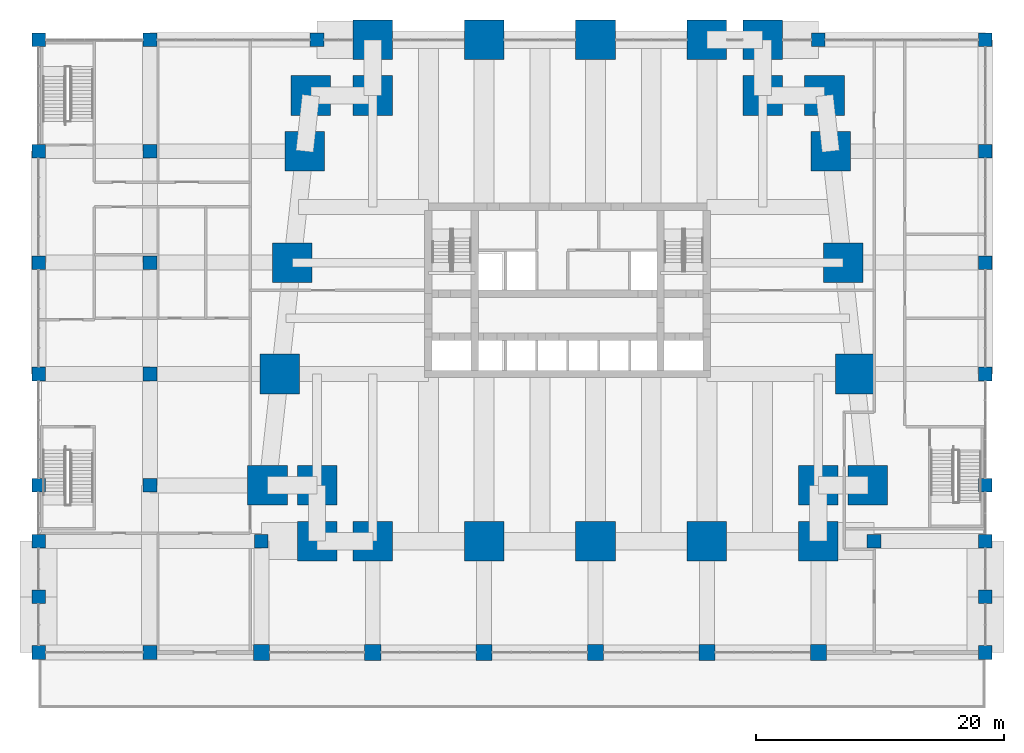
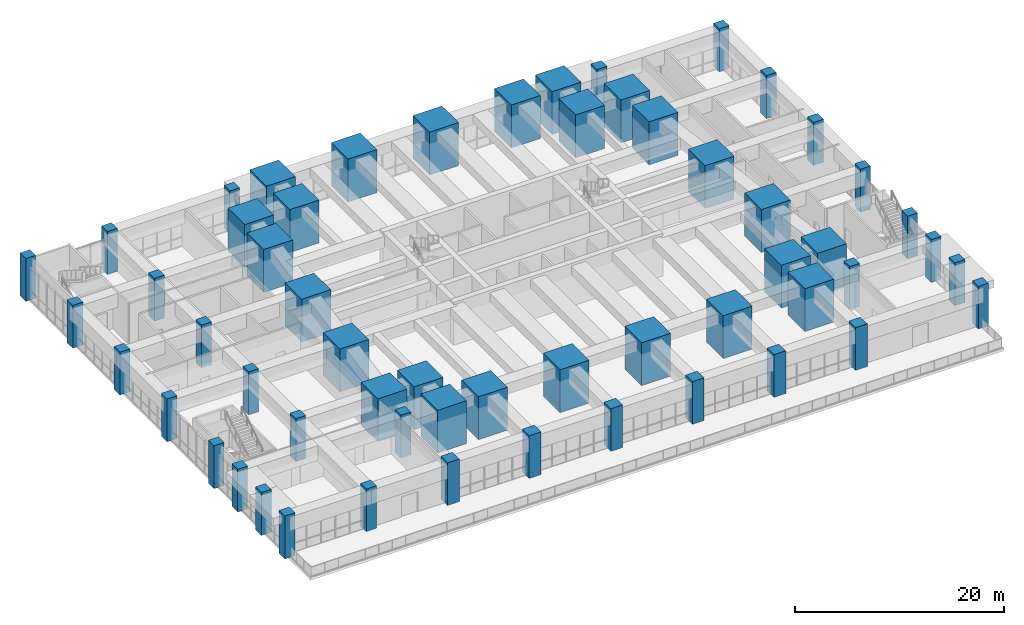
# One storey, part 1 of 27: 57 columns.
"""IFC4 building model written with IfcOpenShell, lengths in metres."""

from ifc_helpers import new_model, si_unit, direction, frame, origin, origin_2d, place, context, subcontext, project, spatial, rectangle, extrude, material, material_profile, profile_set, type_object, element, save


model = new_model("IFC4")

# Units and contexts
model_context = context("Model", 3, precision=1e-05, world=origin(), true_north=direction((0.0, 1.0)))
body_context = subcontext(model_context, "Body", "Model", "MODEL_VIEW")
ifc_project = project(units=[si_unit("LENGTHUNIT", "METRE"), si_unit("AREAUNIT", "SQUARE_METRE"), si_unit("VOLUMEUNIT", "CUBIC_METRE"), si_unit("PLANEANGLEUNIT", "RADIAN"), si_unit("MASSUNIT", "GRAM", prefix="KILO")], contexts=[model_context])

# Site, building, storey
site_placement = place(None, origin())
site = spatial("IfcSite", under=ifc_project, at=site_placement, CompositionType="ELEMENT")
building_placement = place(site_placement, origin())
building = spatial("IfcBuilding", under=site, at=building_placement, Name="Kilele Tower Hotel", CompositionType="ELEMENT")
storey_placement = place(building_placement, frame((0.0, 0.0, 6.0)))
storey = spatial("IfcBuildingStorey", under=building, at=storey_placement, Name="L01", CompositionType="ELEMENT", Elevation=6.0)

# Columns
ifc_material_1 = material(Name="Concrete C60/75", Category="concrete")
ifc_material_profile_1 = material_profile(ifc_material_1, rectangle(XDim=1.10009765625, YDim=1.10009765625, at=origin_2d()))
ifc_profile_set_1 = profile_set([ifc_material_profile_1], Name="Concrete C60/75")
column_type_1 = type_object("IfcColumnType", Name="Column RC 1100x1100 C60/75", PredefinedType="COLUMN", material=ifc_profile_set_1)
for number, where, z_axis, x_axis, name in (
    (1, (-18.0, -4.5, 0.0), (0.0, 0.0, 1.0), (1.0, 0.0, 0.0), "Column PC1 L01"),
    (2, (58.5, -4.5, 0.0), (0.0, 0.0, 1.0), (1.0, 0.0, 0.0), "Column PC1 L01"),
    (3, (-18.0, 4.5, 0.0), (0.0, 0.0, 1.0), (1.0, 0.0, 0.0), "Column PC1 L01"),
    (4, (-9.0, 4.5, 0.0), (0.0, 0.0, 1.0), (1.0, 0.0, 0.0), "Column PC1 L01"),
    (5, (58.5, 4.5, 0.0), (0.0, 0.0, 1.0), (1.0, 0.0, 0.0), "Column PC1 L01"),
    (6, (-18.0, 13.5, 0.0), (0.0, 0.0, 1.0), (1.0, 0.0, 0.0), "Column PC1 L01"),
    (7, (-9.0, 13.5, 0.0), (0.0, 0.0, 1.0), (1.0, 0.0, 0.0), "Column PC1 L01"),
    (8, (58.5, 13.5, 0.0), (0.0, 0.0, 1.0), (1.0, 0.0, 0.0), "Column PC1 L01"),
    (9, (-18.0, 22.5, 0.0), (0.0, 0.0, 1.0), (1.0, 0.0, 0.0), "Column PC1 L01"),
    (10, (-9.0, 22.5, 0.0), (0.0, 0.0, 1.0), (1.0, 0.0, 0.0), "Column PC1 L01"),
    (11, (58.5, 22.5, 0.0), (0.0, 0.0, 1.0), (1.0, 0.0, 0.0), "Column PC1 L01"),
    (12, (-18.0, 31.5, 0.0), (0.0, 0.0, 1.0), (1.0, 0.0, 0.0), "Column PC1 L01"),
    (13, (-9.0, 31.5, 0.0), (0.0, 0.0, 1.0), (1.0, 0.0, 0.0), "Column PC1 L01"),
    (14, (58.5, 31.5, 0.0), (0.0, 0.0, 1.0), (1.0, 0.0, 0.0), "Column PC1 L01"),
    (15, (-18.0, 40.5, 0.0), (0.0, 0.0, 1.0), (1.0, 0.0, 0.0), "Column PC1 L01"),
    (16, (-9.0, 40.5, 0.0), (0.0, 0.0, 1.0), (1.0, 0.0, 0.0), "Column PC1 L01"),
    (17, (58.5, 40.5, 0.0), (0.0, 0.0, 1.0), (1.0, 0.0, 0.0), "Column PC1 L01"),
    (18, (-18.0, 0.0, 0.0), (0.0, 0.0, 1.0), (1.0, 0.0, 0.0), "Column PC1 L01"),
    (19, (58.5, 0.0, 0.0), (0.0, 0.0, 1.0), (1.0, 0.0, 0.0), "Column PC1 L01"),
    (20, (-18.0, -9.0, 0.0), (0.0, 0.0, 1.0), (1.0, 0.0, 0.0), "Column PC1 L01"),
    (21, (58.5, -9.0, 0.0), (0.0, 0.0, 1.0), (1.0, 0.0, 0.0), "Column PC1 L01"),
    (22, (-9.0, -9.0, 0.0), (0.0, 0.0, 1.0), (1.0, 0.0, 0.0), "Column PC1 L01"),
    (23, (0.0, 0.0, 0.0), (0.0, 0.0, 1.0), (1.0, 0.0, 0.0), "Column PC1 L01"),
    (24, (49.5, 0.0, 0.0), (0.0, 0.0, 1.0), (1.0, 0.0, 0.0), "Column PC1 L01"),
    (25, (4.5, 40.5, 0.0), (0.0, 0.0, 1.0), (1.0, 0.0, 0.0), "Column PC1 L01"),
    (26, (45.0, 40.5, 0.0), (0.0, 0.0, 1.0), (1.0, 0.0, 0.0), "Column PC1 L01"),
):
    element("IfcColumn", number, at=place(storey_placement, frame(where, z_axis=z_axis, x_axis=x_axis)), inside=storey, type_object=column_type_1, Name=name, PredefinedType="COLUMN", context=body_context, shape_type="SweptSolid", body=[
        extrude(rectangle(XDim=1.10009765625, YDim=1.10009765625, at=origin_2d()), origin(), (0.0, 0.0, 1.0), 5.0),
    ])
ifc_material_2 = material(Name="Concrete C60/75", Category="concrete")
ifc_material_profile_2 = material_profile(ifc_material_2, rectangle(XDim=1.300048828125, YDim=1.300048828125, at=origin_2d()))
ifc_profile_set_2 = profile_set([ifc_material_profile_2], Name="Concrete C60/75")
column_type_2 = type_object("IfcColumnType", Name="Column RC 1300x1300 C60/75", PredefinedType="COLUMN", material=ifc_profile_set_2)
for number, where, z_axis, x_axis, name in (
    (27, (0.0, -9.0, 0.0), (0.0, 0.0, 1.0), (1.0, 0.0, 0.0), "Column PC2 L01"),
    (28, (9.0, -9.0, 0.0), (0.0, 0.0, 1.0), (1.0, 0.0, 0.0), "Column PC2 L01"),
    (29, (18.0, -9.0, 0.0), (0.0, 0.0, 1.0), (1.0, 0.0, 0.0), "Column PC2 L01"),
    (30, (27.0, -9.0, 0.0), (0.0, 0.0, 1.0), (1.0, 0.0, 0.0), "Column PC2 L01"),
    (31, (36.0, -9.0, 0.0), (0.0, 0.0, 1.0), (1.0, 0.0, 0.0), "Column PC2 L01"),
    (32, (45.0, -9.0, 0.0), (0.0, 0.0, 1.0), (1.0, 0.0, 0.0), "Column PC2 L01"),
):
    element("IfcColumn", number, at=place(storey_placement, frame(where, z_axis=z_axis, x_axis=x_axis)), inside=storey, type_object=column_type_2, Name=name, PredefinedType="COLUMN", context=body_context, shape_type="SweptSolid", body=[
        extrude(rectangle(XDim=1.300048828125, YDim=1.300048828125, at=origin_2d()), origin(), (0.0, 0.0, 1.0), 5.0),
    ])
ifc_material_3 = material(Name="Concrete C80/95", Category="concrete")
ifc_material_profile_3 = material_profile(ifc_material_3, rectangle(XDim=3.199951171875, YDim=3.199951171875, at=origin_2d()))
ifc_profile_set_3 = profile_set([ifc_material_profile_3], Name="Concrete C80/95")
column_type_3 = type_object("IfcColumnType", Name="Mega column RC 3200x3200 C80/95", PredefinedType="COLUMN", material=ifc_profile_set_3)
for number, where, z_axis, x_axis, name in (
    (33, (0.5, 4.5, 0.0), (0.0, 0.0, 1.0), (1.0, 0.0, 0.0), "Column MC1 L01"),
    (34, (4.5, 4.5, 0.0), (0.0, 0.0, 1.0), (1.0, 0.0, 0.0), "Column MC1 L01"),
    (35, (4.5, 0.0, 0.0), (0.0, 0.0, 1.0), (1.0, 0.0, 0.0), "Column MC1 L01"),
    (36, (9.0, 0.0, 0.0), (0.0, 0.0, 1.0), (1.0, 0.0, 0.0), "Column MC1 L01"),
    (37, (18.0, 0.0, 0.0), (0.0, 0.0, 1.0), (1.0, 0.0, 0.0), "Column MC1 L01"),
    (38, (27.0, 0.0, 0.0), (0.0, 0.0, 1.0), (1.0, 0.0, 0.0), "Column MC1 L01"),
    (39, (36.0, 0.0, 0.0), (0.0, 0.0, 1.0), (1.0, 0.0, 0.0), "Column MC1 L01"),
    (40, (45.0, 0.0, 0.0), (0.0, 0.0, 1.0), (1.0, 0.0, 0.0), "Column MC1 L01"),
    (41, (45.0, 4.5, 0.0), (0.0, 0.0, 1.0), (1.0, 0.0, 0.0), "Column MC1 L01"),
    (42, (49.0, 4.5, 0.0), (0.0, 0.0, 1.0), (1.0, 0.0, 0.0), "Column MC1 L01"),
    (43, (48.0, 13.5, 0.0), (0.0, 0.0, 1.0), (1.0, 0.0, 0.0), "Column MC1 L01"),
    (44, (47.0, 22.5, 0.0), (0.0, 0.0, 1.0), (1.0, 0.0, 0.0), "Column MC1 L01"),
    (45, (46.0, 31.5, 0.0), (0.0, 0.0, 1.0), (1.0, 0.0, 0.0), "Column MC1 L01"),
    (46, (45.5, 36.0, 0.0), (0.0, 0.0, 1.0), (1.0, 0.0, 0.0), "Column MC1 L01"),
    (47, (40.5, 36.0, 0.0), (0.0, 0.0, 1.0), (1.0, 0.0, 0.0), "Column MC1 L01"),
    (48, (40.5, 40.5, 0.0), (0.0, 0.0, 1.0), (1.0, 0.0, 0.0), "Column MC1 L01"),
    (49, (36.0, 40.5, 0.0), (0.0, 0.0, 1.0), (1.0, 0.0, 0.0), "Column MC1 L01"),
    (50, (27.0, 40.5, 0.0), (0.0, 0.0, 1.0), (1.0, 0.0, 0.0), "Column MC1 L01"),
    (51, (18.0, 40.5, 0.0), (0.0, 0.0, 1.0), (1.0, 0.0, 0.0), "Column MC1 L01"),
    (52, (9.0, 40.5, 0.0), (0.0, 0.0, 1.0), (1.0, 0.0, 0.0), "Column MC1 L01"),
    (53, (9.0, 36.0, 0.0), (0.0, 0.0, 1.0), (1.0, 0.0, 0.0), "Column MC1 L01"),
    (54, (4.0, 36.0, 0.0), (0.0, 0.0, 1.0), (1.0, 0.0, 0.0), "Column MC1 L01"),
    (55, (3.5, 31.5, 0.0), (0.0, 0.0, 1.0), (1.0, 0.0, 0.0), "Column MC1 L01"),
    (56, (2.5, 22.5, 0.0), (0.0, 0.0, 1.0), (1.0, 0.0, 0.0), "Column MC1 L01"),
    (57, (1.5, 13.5, 0.0), (0.0, 0.0, 1.0), (1.0, 0.0, 0.0), "Column MC1 L01"),
):
    element("IfcColumn", number, at=place(storey_placement, frame(where, z_axis=z_axis, x_axis=x_axis)), inside=storey, type_object=column_type_3, Name=name, PredefinedType="COLUMN", context=body_context, shape_type="SweptSolid", body=[
        extrude(rectangle(XDim=3.199951171875, YDim=3.199951171875, at=origin_2d()), origin(), (0.0, 0.0, 1.0), 5.0),
    ])

save(model, "model.ifc")
